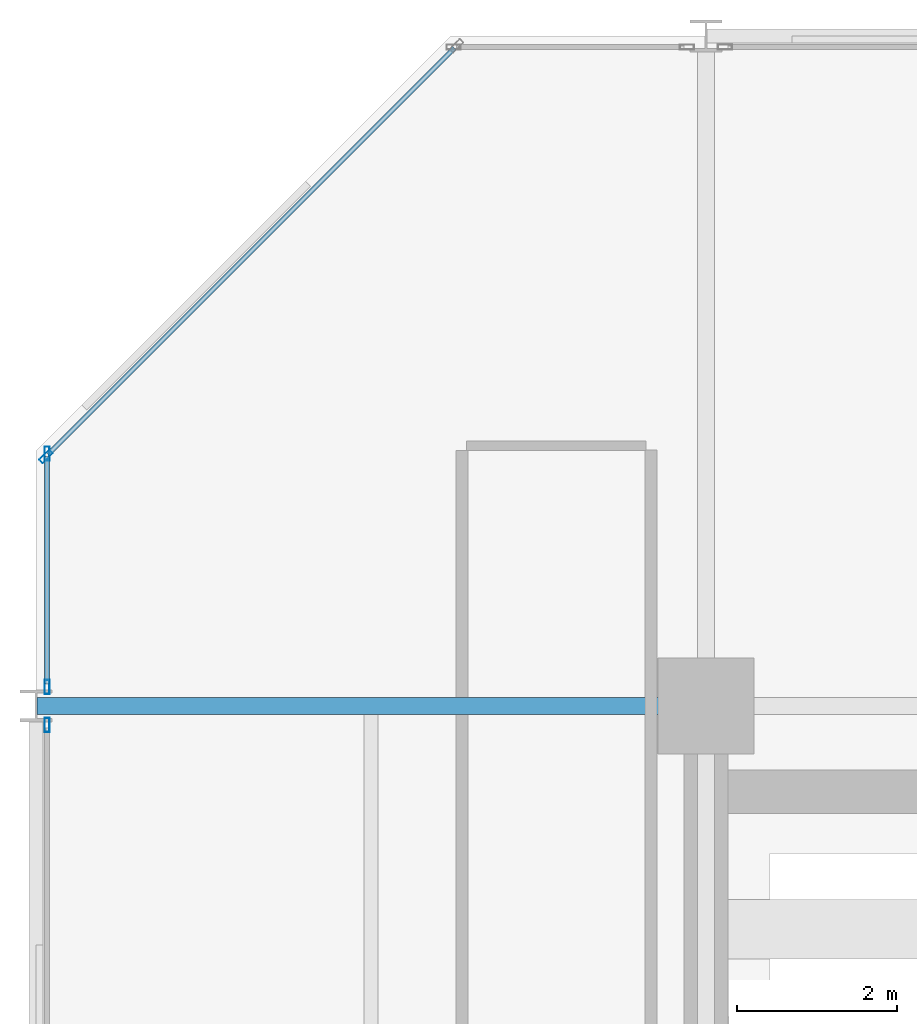
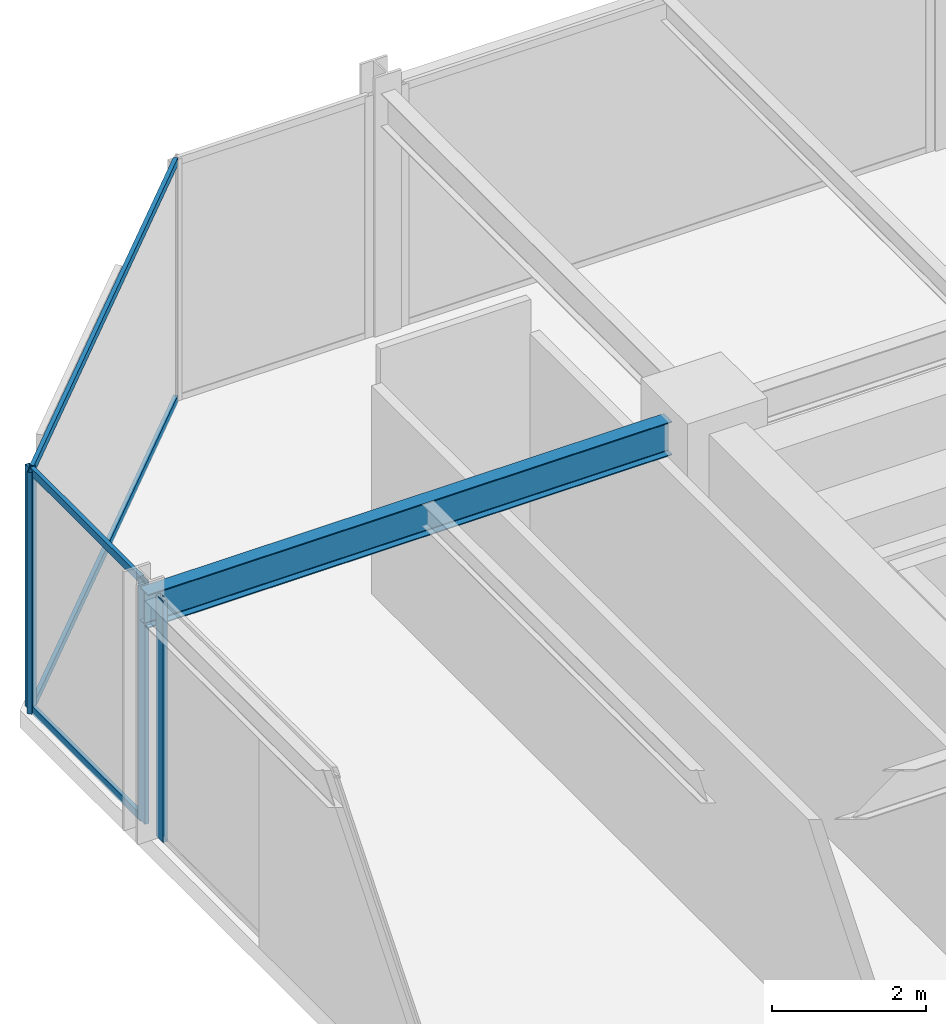
# One storey, part 25 of 38: 8 members, 1 beam, 3 elements without a shape of their own.
"""IFC4 building model written with IfcOpenShell, lengths in metres."""

from ifc_helpers import new_model, si_unit, direction, frame, origin, origin_2d, place, context, subcontext, project, spatial, hollow_rectangle, i_section, extrude, material, layer, layer_set, material_profile, profile_set, type_object, element, aggregate, save


model = new_model("IFC4")

# Units and contexts
model_context = context("Model", 3, precision=1e-05, world=origin(), true_north=direction((0.0, 1.0)))
body_context = subcontext(model_context, "Body", "Model", "MODEL_VIEW")
ifc_project = project(units=[si_unit("LENGTHUNIT", "METRE"), si_unit("AREAUNIT", "SQUARE_METRE"), si_unit("VOLUMEUNIT", "CUBIC_METRE"), si_unit("PLANEANGLEUNIT", "RADIAN"), si_unit("MASSUNIT", "GRAM", prefix="KILO")], contexts=[model_context])

# Site, building, storey
site_placement = place(None, origin())
site = spatial("IfcSite", under=ifc_project, at=site_placement, CompositionType="ELEMENT")
building_placement = place(site_placement, origin())
building = spatial("IfcBuilding", under=site, at=building_placement, Name="Nerrivon Quay Data Exchange", CompositionType="ELEMENT")
storey_placement = place(building_placement, frame((0.0, 0.0, 84.39990234375)))
storey = spatial("IfcBuildingStorey", under=building, at=storey_placement, Name="L19", CompositionType="ELEMENT", Elevation=84.39990234375)

# Beam
ifc_material_1 = material(Name="Steel Grade 350", Category="steel")
ifc_material_profile_1 = material_profile(ifc_material_1, i_section(OverallWidth=0.208984375, OverallDepth=0.532958984375, WebThickness=0.01025390625, FlangeThickness=0.015625, FilletRadius=0.013916015625, at=origin_2d()), Name="530UB92.4")
ifc_profile_set_1 = profile_set([ifc_material_profile_1], Name="Steel Grade 350")
beam_type = type_object("IfcBeamType", Name="BM-G3-530UB92", PredefinedType="BEAM", material=ifc_profile_set_1)
beam_placement = place(storey_placement, frame((0.012451171875, 42.0, 3.55859375), z_axis=(1.0, 0.0, 0.0), x_axis=(0.0, 1.0, 0.0)))
element("IfcBeam", 1, at=beam_placement, inside=storey, type_object=beam_type, Name="L19 EW Girder Y=42.0 (0.0..8.4)", PredefinedType="BEAM", context=body_context, shape_type="SweptSolid", body=[
    extrude(i_section(OverallWidth=0.208984375, OverallDepth=0.532958984375, WebThickness=0.01025390625, FlangeThickness=0.015625, FilletRadius=0.013916015625, at=origin_2d()), origin(), (0.0, 0.0, 1.0), 7.84765625),
])

# Curtain wall, member
ifc_material_2 = material(Name="Anodised aluminium 6063-T6", Category="aluminium")
ifc_layer = layer(ifc_material_2, 0.2099609375)
ifc_layer_set = layer_set([ifc_layer], Name="Anodised aluminium 6063-T6")
curtain_wall_type = type_object("IfcCurtainWallType", Name="CW-SYS-02", PredefinedType="NOTDEFINED", material=ifc_layer_set)
curtain_wall_1_placement = place(storey_placement, origin())
curtain_wall_1 = element("IfcCurtainWall", 2, at=curtain_wall_1_placement, inside=storey, type_object=curtain_wall_type, Name="L19 Unitised Curtain Wall 21", PredefinedType="NOTDEFINED")
ifc_material_profile_2 = material_profile(ifc_material_2, hollow_rectangle(XDim=0.06494140625, YDim=0.179931640625, WallThickness=0.00341796875, at=origin_2d()), Name="ALU-MULL-180x65")
ifc_profile_set_2 = profile_set([ifc_material_profile_2], Name="Anodised aluminium 6063-T6")
member_type_1 = type_object("IfcMemberType", Name="CWM-180x65", PredefinedType="MULLION", material=ifc_profile_set_2)
member_1_placement = place(storey_placement, frame((0.139892578125, 41.762451171875, 0.0), z_axis=(0.0, 0.0, 1.0), x_axis=(-1.0, 0.0, 0.0)))
member_1 = element("IfcMember", 3, at=member_1_placement, type_object=member_type_1, Name="CW02 mullion 2", PredefinedType="MULLION", context=body_context, shape_type="SweptSolid", body=[
    extrude(hollow_rectangle(XDim=0.06494140625, YDim=0.179931640625, WallThickness=0.00341796875, at=origin_2d()), origin(), (0.0, 0.0, 1.0), 3.8251953125),
])
aggregate(curtain_wall_1, [member_1])

# Curtain wall, members
curtain_wall_2_placement = place(storey_placement, origin())
curtain_wall_2 = element("IfcCurtainWall", 4, at=curtain_wall_2_placement, inside=storey, type_object=curtain_wall_type, Name="L19 Unitised Curtain Wall 22", PredefinedType="NOTDEFINED")
member_2_placement = place(storey_placement, frame((0.139892578125, 42.237548828125, 0.0), z_axis=(0.0, 0.0, 1.0), x_axis=(-1.0, 0.0, 0.0)))
member_2 = element("IfcMember", 5, at=member_2_placement, type_object=member_type_1, Name="CW02 mullion 1", PredefinedType="MULLION", context=body_context, shape_type="SweptSolid", body=[
    extrude(hollow_rectangle(XDim=0.06494140625, YDim=0.179931640625, WallThickness=0.00341796875, at=origin_2d()), origin(), (0.0, 0.0, 1.0), 3.8251953125),
])
member_3_placement = place(storey_placement, frame((0.139892578125, 45.16259765625, 0.0), z_axis=(0.0, 0.0, 1.0), x_axis=(-1.0, 0.0, 0.0)))
member_3 = element("IfcMember", 6, at=member_3_placement, type_object=member_type_1, Name="CW02 mullion 2", PredefinedType="MULLION", context=body_context, shape_type="SweptSolid", body=[
    extrude(hollow_rectangle(XDim=0.06494140625, YDim=0.179931640625, WallThickness=0.00341796875, at=origin_2d()), origin(), (0.0, 0.0, 1.0), 3.8251953125),
])

# Curtain wall, member
curtain_wall_3_placement = place(storey_placement, origin())
curtain_wall_3 = element("IfcCurtainWall", 7, at=curtain_wall_3_placement, inside=storey, type_object=curtain_wall_type, Name="L19 Unitised Curtain Wall 23", PredefinedType="NOTDEFINED")
member_4_placement = place(storey_placement, frame((0.12548828125, 45.12744140625, 0.0), z_axis=(0.0, 0.0, 1.0), x_axis=(-0.707106781187, 0.707106781187, 0.0)))
member_4 = element("IfcMember", 8, at=member_4_placement, type_object=member_type_1, Name="CW02 mullion 1", PredefinedType="MULLION", context=body_context, shape_type="SweptSolid", body=[
    extrude(hollow_rectangle(XDim=0.06494140625, YDim=0.179931640625, WallThickness=0.00341796875, at=origin_2d()), origin(), (0.0, 0.0, 1.0), 3.8251953125),
])

# Member
ifc_material_profile_3 = material_profile(ifc_material_2, hollow_rectangle(XDim=0.06005859375, YDim=0.1201171875, WallThickness=0.003173828125, at=origin_2d()), Name="ALU-TRAN-120x60")
ifc_profile_set_3 = profile_set([ifc_material_profile_3], Name="Anodised aluminium 6063-T6")
member_type_2 = type_object("IfcMemberType", Name="CWT-120x60", PredefinedType="USERDEFINED", material=ifc_profile_set_3)
member_5_placement = place(storey_placement, frame((0.139892578125, 42.27490234375, 0.03271484375), z_axis=(0.0, 1.0, 0.0), x_axis=(-1.0, 0.0, 0.0)))
member_5 = element("IfcMember", 9, at=member_5_placement, type_object=member_type_2, Name="CW02 transom 1.1", ObjectType="TRANSOM", PredefinedType="USERDEFINED", context=body_context, shape_type="SweptSolid", body=[
    extrude(hollow_rectangle(XDim=0.06005859375, YDim=0.1201171875, WallThickness=0.003173828125, at=origin_2d()), origin(), (0.0, 0.0, 1.0), 2.85009765625),
])

member_6_placement = place(storey_placement, frame((0.139892578125, 42.27490234375, 3.79248046875), z_axis=(0.0, 1.0, 0.0), x_axis=(-1.0, 0.0, 0.0)))
member_6 = element("IfcMember", 10, at=member_6_placement, type_object=member_type_2, Name="CW02 transom 1.2", ObjectType="TRANSOM", PredefinedType="USERDEFINED", context=body_context, shape_type="SweptSolid", body=[
    extrude(hollow_rectangle(XDim=0.06005859375, YDim=0.1201171875, WallThickness=0.003173828125, at=origin_2d()), origin(), (0.0, 0.0, 1.0), 2.85009765625),
])

aggregate(curtain_wall_2, [member_2, member_3, member_5, member_6])

member_7_placement = place(storey_placement, frame((0.152099609375, 45.154052734375, 0.03271484375), z_axis=(0.707089835771, 0.707123726196, 0.0), x_axis=(-0.707123726196, 0.707089835771, 0.0)))
member_7 = element("IfcMember", 11, at=member_7_placement, type_object=member_type_2, Name="CW02 transom 1.1", ObjectType="TRANSOM", PredefinedType="USERDEFINED", context=body_context, shape_type="SweptSolid", body=[
    extrude(hollow_rectangle(XDim=0.06005859375, YDim=0.1201171875, WallThickness=0.003173828125, at=origin_2d()), origin(), (0.0, 0.0, 1.0), 7.203857421875),
])

member_8_placement = place(storey_placement, frame((0.152099609375, 45.154052734375, 3.79248046875), z_axis=(0.707089835771, 0.707123726196, 0.0), x_axis=(-0.707123726196, 0.707089835771, 0.0)))
member_8 = element("IfcMember", 12, at=member_8_placement, type_object=member_type_2, Name="CW02 transom 1.2", ObjectType="TRANSOM", PredefinedType="USERDEFINED", context=body_context, shape_type="SweptSolid", body=[
    extrude(hollow_rectangle(XDim=0.06005859375, YDim=0.1201171875, WallThickness=0.003173828125, at=origin_2d()), origin(), (0.0, 0.0, 1.0), 7.203857421875),
])

aggregate(curtain_wall_3, [member_4, member_7, member_8])

save(model, "model.ifc")
